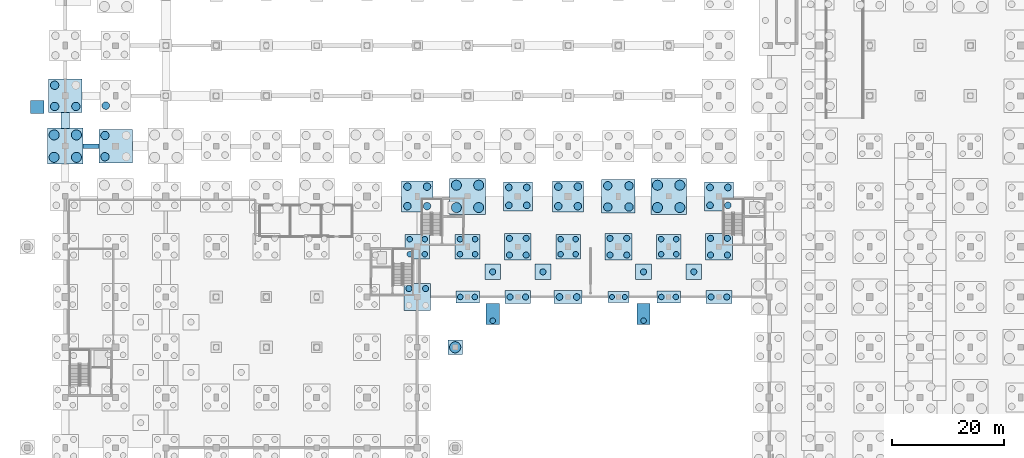
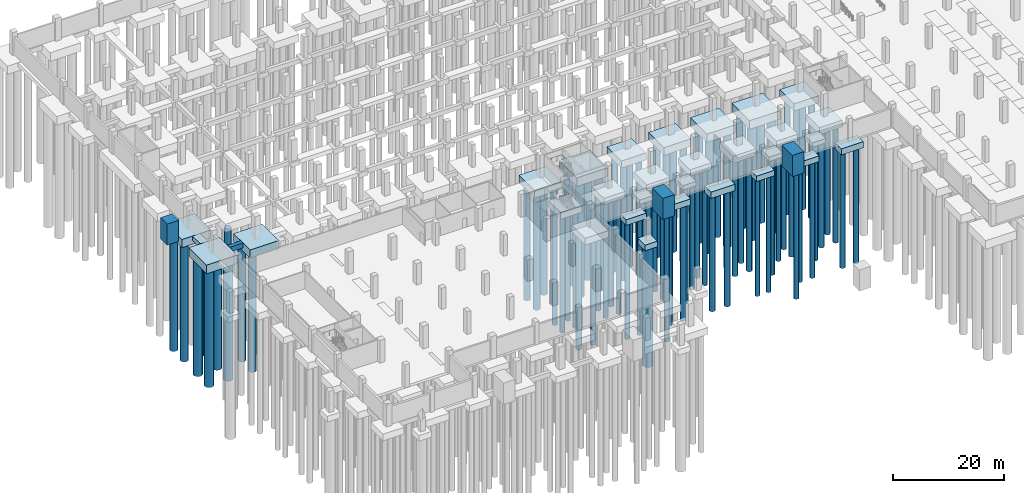
# One storey, part 3 of 37: 87 piles, 34 footings.
"""IFC4 building model written with IfcOpenShell, lengths in metres."""

from ifc_helpers import new_model, si_unit, direction, frame, origin, origin_2d, place, context, subcontext, project, spatial, rectangle, circle, extrude, material, material_profile, profile_set, type_object, element, save


model = new_model("IFC4")

# Units and contexts
model_context = context("Model", 3, precision=1e-05, world=origin(), true_north=direction((0.0, 1.0)))
body_context = subcontext(model_context, "Body", "Model", "MODEL_VIEW")
ifc_project = project(units=[si_unit("LENGTHUNIT", "METRE"), si_unit("AREAUNIT", "SQUARE_METRE"), si_unit("VOLUMEUNIT", "CUBIC_METRE"), si_unit("PLANEANGLEUNIT", "RADIAN"), si_unit("MASSUNIT", "GRAM", prefix="KILO")], contexts=[model_context])

# Site, building, storey
site_placement = place(None, origin())
site = spatial("IfcSite", under=ifc_project, at=site_placement, CompositionType="ELEMENT")
building_placement = place(site_placement, origin())
building = spatial("IfcBuilding", under=site, at=building_placement, Name="Barlavento Convention Centre", CompositionType="ELEMENT")
storey_placement = place(building_placement, frame((0.0, 0.0, -5.0)))
storey = spatial("IfcBuildingStorey", under=building, at=storey_placement, Name="B1", CompositionType="ELEMENT", Elevation=-5.0)

# Footings
ifc_material = material(Name="Concrete C40/50", Category="concrete")
footing_type_1 = type_object("IfcFootingType", Name="STR-FND-GB-800X1100", PredefinedType="FOOTING_BEAM", material=ifc_material)
footing_1_placement = place(storey_placement, frame((4.60009765625, 63.0, -1.10009765625), z_axis=(0.0, 0.0, 1.0), x_axis=(1.0, 0.0, 0.0)))
element("IfcFooting", 1, at=footing_1_placement, inside=storey, type_object=footing_type_1, Name="Ground tie footing GB03", PredefinedType="FOOTING_BEAM", context=body_context, shape_type="SweptSolid", body=[
    extrude(rectangle(XDim=2.81005859375, YDim=0.800048828125, at=origin_2d()), origin(), (0.0, 0.0, 1.0), 1.10009765625),
])
footing_type_2 = type_object("IfcFootingType", Name="STR-FND-PAD-2800", PredefinedType="PAD_FOOTING", material=ifc_material)
for number, where, z_axis, x_axis, name in (
    (2, (76.5, 40.5, -1.47021484375), (0.0, 0.0, 1.0), (1.0, 0.0, 0.0), "B1 heavy plant equipment pad footing FND-EQP-0311"),
    (3, (85.5, 40.5, -1.47021484375), (0.0, 0.0, 1.0), (1.0, 0.0, 0.0), "B1 heavy plant equipment pad footing FND-EQP-0312"),
    (4, (103.5, 40.5, -1.47021484375), (0.0, 0.0, 1.0), (1.0, 0.0, 0.0), "B1 heavy plant equipment pad footing FND-EQP-0313"),
    (5, (112.5, 40.5, -1.47021484375), (0.0, 0.0, 1.0), (1.0, 0.0, 0.0), "B1 heavy plant equipment pad footing FND-EQP-0314"),
):
    element("IfcFooting", number, at=place(storey_placement, frame(where, z_axis=z_axis, x_axis=x_axis)), inside=storey, type_object=footing_type_2, Name=name, PredefinedType="PAD_FOOTING", context=body_context, shape_type="SweptSolid", body=[
        extrude(rectangle(XDim=2.800048828125, YDim=2.800048828125, at=origin_2d()), origin(), (0.0, 0.0, 1.0), 0.949951171875),
    ])
footing_type_3 = type_object("IfcFootingType", Name="STR-FND-PAD-APR-2400", PredefinedType="PAD_FOOTING", material=ifc_material)
footing_2_placement = place(storey_placement, frame((-5.0, 70.0, 0.0), z_axis=(0.0, 0.0, 1.0), x_axis=(1.0, 0.0, 0.0)))
element("IfcFooting", 6, at=footing_2_placement, inside=storey, type_object=footing_type_3, Name="Perimeter plaza apron foundation pad FND-PAD-APR-04", PredefinedType="PAD_FOOTING", context=body_context, shape_type="SweptSolid", body=[
    extrude(rectangle(XDim=2.39990234375, YDim=2.39990234375, at=origin_2d()), origin(), (0.0, 0.0, 1.0), 4.639892578125),
])
footing_type_4 = type_object("IfcFootingType", Name="STR-FND-PC-2600", PredefinedType="PILE_CAP", material=ifc_material)
footing_3_placement = place(storey_placement, frame((69.800048828125, 27.0, -1.25), z_axis=(0.0, 0.0, 1.0), x_axis=(1.0, 0.0, 0.0)))
element("IfcFooting", 7, at=footing_3_placement, inside=storey, type_object=footing_type_4, Name="Canopy V-strut anchor pile cap FND-CAP-0320", PredefinedType="PILE_CAP", context=body_context, shape_type="SweptSolid", body=[
    extrude(rectangle(XDim=2.60009765625, YDim=2.60009765625, at=origin_2d()), origin(), (0.0, 0.0, 1.0), 1.25),
])
footing_type_5 = type_object("IfcFootingType", Name="STR-FND-PC2-3800X1900", PredefinedType="PILE_CAP", material=ifc_material)
footing_4_placement = place(storey_placement, frame((99.0, 36.0, -1.72021484375), z_axis=(0.0, 0.0, 1.0), x_axis=(1.0, 0.0, 0.0)))
element("IfcFooting", 8, at=footing_4_placement, inside=storey, type_object=footing_type_5, Name="Pile cap PC03 at 12-E", PredefinedType="PILE_CAP", context=body_context, shape_type="SweptSolid", body=[
    extrude(rectangle(XDim=3.800048828125, YDim=1.89990234375, at=origin_2d()), origin(), (0.0, 0.0, 1.0), 1.199951171875),
])
footing_type_6 = type_object("IfcFootingType", Name="STR-FND-PC2-4200X2100", PredefinedType="PILE_CAP", material=ifc_material)
for number, where, z_axis, x_axis, name in (
    (9, (72.0, 36.0, -1.77001953125), (0.0, 0.0, 1.0), (1.0, 0.0, 0.0), "Pile cap PC04 at 9-E"),
    (10, (108.0, 36.0, -1.77001953125), (0.0, 0.0, 1.0), (1.0, 0.0, 0.0), "Pile cap PC04 at 13-E"),
):
    element("IfcFooting", number, at=place(storey_placement, frame(where, z_axis=z_axis, x_axis=x_axis)), inside=storey, type_object=footing_type_6, Name=name, PredefinedType="PILE_CAP", context=body_context, shape_type="SweptSolid", body=[
        extrude(rectangle(XDim=4.199951171875, YDim=2.10009765625, at=origin_2d()), origin(), (0.0, 0.0, 1.0), 1.25),
    ])
footing_type_7 = type_object("IfcFootingType", Name="STR-FND-PC2-4600X2300", PredefinedType="PILE_CAP", material=ifc_material)
for number, where, z_axis, x_axis, name in (
    (11, (81.0, 36.0, -1.8701171875), (0.0, 0.0, 1.0), (1.0, 0.0, 0.0), "Pile cap PC05 at 10-E"),
    (12, (117.0, 36.0, -1.8701171875), (0.0, 0.0, 1.0), (1.0, 0.0, 0.0), "Pile cap PC05 at 14-E"),
):
    element("IfcFooting", number, at=place(storey_placement, frame(where, z_axis=z_axis, x_axis=x_axis)), inside=storey, type_object=footing_type_7, Name=name, PredefinedType="PILE_CAP", context=body_context, shape_type="SweptSolid", body=[
        extrude(rectangle(XDim=4.60009765625, YDim=2.300048828125, at=origin_2d()), origin(), (0.0, 0.0, 1.0), 1.35009765625),
    ])
footing_type_8 = type_object("IfcFootingType", Name="STR-FND-PC2-5000X2400", PredefinedType="PILE_CAP", material=ifc_material)
footing_5_placement = place(storey_placement, frame((90.0, 36.0, -1.919921875), z_axis=(0.0, 0.0, 1.0), x_axis=(1.0, 0.0, 0.0)))
element("IfcFooting", 13, at=footing_5_placement, inside=storey, type_object=footing_type_8, Name="Pile cap PC06 at 11-E", PredefinedType="PILE_CAP", context=body_context, shape_type="SweptSolid", body=[
    extrude(rectangle(XDim=5.0, YDim=2.39990234375, at=origin_2d()), origin(), (0.0, 0.0, 1.0), 1.39990234375),
])
footing_type_9 = type_object("IfcFootingType", Name="STR-FND-PC4-4400", PredefinedType="PILE_CAP", material=ifc_material)
for number, where, z_axis, x_axis, name in (
    (14, (63.0, 45.0, -1.97021484375), (0.0, 0.0, 1.0), (1.0, 0.0, 0.0), "Pile cap PC07 at 8-F"),
    (15, (72.0, 45.0, -1.97021484375), (0.0, 0.0, 1.0), (1.0, 0.0, 0.0), "Pile cap PC07 at 9-F"),
    (16, (90.0, 45.0, -1.97021484375), (0.0, 0.0, 1.0), (1.0, 0.0, 0.0), "Pile cap PC07 at 11-F"),
    (17, (108.0, 45.0, -1.97021484375), (0.0, 0.0, 1.0), (1.0, 0.0, 0.0), "Pile cap PC07 at 13-F"),
):
    element("IfcFooting", number, at=place(storey_placement, frame(where, z_axis=z_axis, x_axis=x_axis)), inside=storey, type_object=footing_type_9, Name=name, PredefinedType="PILE_CAP", context=body_context, shape_type="SweptSolid", body=[
        extrude(rectangle(XDim=4.39990234375, YDim=4.39990234375, at=origin_2d()), origin(), (0.0, 0.0, 1.0), 1.449951171875),
    ])
footing_type_10 = type_object("IfcFootingType", Name="STR-FND-PC4-4800", PredefinedType="PILE_CAP", material=ifc_material)
for number, where, z_axis, x_axis, name in (
    (18, (63.0, 36.0, -2.02001953125), (0.0, 0.0, 1.0), (1.0, 0.0, 0.0), "Pile cap PC08 at 8-E"),
    (19, (81.0, 45.0, -2.02001953125), (0.0, 0.0, 1.0), (1.0, 0.0, 0.0), "Pile cap PC08 at 10-F"),
    (20, (99.0, 45.0, -2.02001953125), (0.0, 0.0, 1.0), (1.0, 0.0, 0.0), "Pile cap PC08 at 12-F"),
    (21, (117.0, 45.0, -2.02001953125), (0.0, 0.0, 1.0), (1.0, 0.0, 0.0), "Pile cap PC08 at 14-F"),
):
    element("IfcFooting", number, at=place(storey_placement, frame(where, z_axis=z_axis, x_axis=x_axis)), inside=storey, type_object=footing_type_10, Name=name, PredefinedType="PILE_CAP", context=body_context, shape_type="SweptSolid", body=[
        extrude(rectangle(XDim=4.800048828125, YDim=4.800048828125, at=origin_2d()), origin(), (0.0, 0.0, 1.0), 1.5),
    ])
footing_type_11 = type_object("IfcFootingType", Name="STR-FND-PC4-5200", PredefinedType="PILE_CAP", material=ifc_material)
for number, where, z_axis, x_axis, name in (
    (22, (81.0, 54.0, -2.1201171875), (0.0, 0.0, 1.0), (1.0, 0.0, 0.0), "Pile cap PC09 at 10-G"),
    (23, (117.0, 54.0, -2.1201171875), (0.0, 0.0, 1.0), (1.0, 0.0, 0.0), "Pile cap PC09 at 14-G"),
):
    element("IfcFooting", number, at=place(storey_placement, frame(where, z_axis=z_axis, x_axis=x_axis)), inside=storey, type_object=footing_type_11, Name=name, PredefinedType="PILE_CAP", context=body_context, shape_type="SweptSolid", body=[
        extrude(rectangle(XDim=5.199951171875, YDim=5.199951171875, at=origin_2d()), origin(), (0.0, 0.0, 1.0), 1.60009765625),
    ])
footing_type_12 = type_object("IfcFootingType", Name="STR-FND-PC4-5600", PredefinedType="PILE_CAP", material=ifc_material)
for number, where, z_axis, x_axis, name in (
    (24, (63.0, 54.0, -2.22021484375), (0.0, 0.0, 1.0), (1.0, 0.0, 0.0), "Pile cap PC10 at 8-G"),
    (25, (90.0, 54.0, -2.22021484375), (0.0, 0.0, 1.0), (1.0, 0.0, 0.0), "Pile cap PC10 at 11-G"),
):
    element("IfcFooting", number, at=place(storey_placement, frame(where, z_axis=z_axis, x_axis=x_axis)), inside=storey, type_object=footing_type_12, Name=name, PredefinedType="PILE_CAP", context=body_context, shape_type="SweptSolid", body=[
        extrude(rectangle(XDim=5.60009765625, YDim=5.60009765625, at=origin_2d()), origin(), (0.0, 0.0, 1.0), 1.699951171875),
    ])
footing_type_13 = type_object("IfcFootingType", Name="STR-FND-PC4-6000", PredefinedType="PILE_CAP", material=ifc_material)
for number, where, z_axis, x_axis, name in (
    (26, (0.0, 72.0, -1.7998046875), (0.0, 0.0, 1.0), (1.0, 0.0, 0.0), "Pile cap PC11 at 1-J"),
    (27, (9.0, 63.0, -1.7998046875), (0.0, 0.0, 1.0), (1.0, 0.0, 0.0), "Pile cap PC11 at 2-H"),
    (28, (99.0, 54.0, -2.31982421875), (0.0, 0.0, 1.0), (1.0, 0.0, 0.0), "Pile cap PC11 at 12-G"),
):
    element("IfcFooting", number, at=place(storey_placement, frame(where, z_axis=z_axis, x_axis=x_axis)), inside=storey, type_object=footing_type_13, Name=name, PredefinedType="PILE_CAP", context=body_context, shape_type="SweptSolid", body=[
        extrude(rectangle(XDim=6.0, YDim=6.0, at=origin_2d()), origin(), (0.0, 0.0, 1.0), 1.800048828125),
    ])
footing_type_14 = type_object("IfcFootingType", Name="STR-FND-PC4-6400", PredefinedType="PILE_CAP", material=ifc_material)
for number, where, z_axis, x_axis, name in (
    (29, (0.0, 63.0, -1.89990234375), (0.0, 0.0, 1.0), (1.0, 0.0, 0.0), "Pile cap PC12 at 1-H"),
    (30, (72.0, 54.0, -2.419921875), (0.0, 0.0, 1.0), (1.0, 0.0, 0.0), "Pile cap PC12 at 9-G"),
    (31, (108.0, 54.0, -2.419921875), (0.0, 0.0, 1.0), (1.0, 0.0, 0.0), "Pile cap PC12 at 13-G"),
):
    element("IfcFooting", number, at=place(storey_placement, frame(where, z_axis=z_axis, x_axis=x_axis)), inside=storey, type_object=footing_type_14, Name=name, PredefinedType="PILE_CAP", context=body_context, shape_type="SweptSolid", body=[
        extrude(rectangle(XDim=6.39990234375, YDim=6.39990234375, at=origin_2d()), origin(), (0.0, 0.0, 1.0), 1.89990234375),
    ])
footing_type_15 = type_object("IfcFootingType", Name="STR-FND-RMP-PAD", PredefinedType="PAD_FOOTING", material=ifc_material)
for number, where, z_axis, x_axis, name in (
    (32, (76.5, 32.949951171875, 0.0), (0.0, 0.0, 1.0), (1.0, 0.0, 0.0), "Approach ramp foundation pad AR-01"),
    (33, (103.5, 32.949951171875, 0.0), (0.0, 0.0, 1.0), (1.0, 0.0, 0.0), "Approach ramp foundation pad AR-01"),
):
    element("IfcFooting", number, at=place(storey_placement, frame(where, z_axis=z_axis, x_axis=x_axis)), inside=storey, type_object=footing_type_15, Name=name, PredefinedType="PAD_FOOTING", context=body_context, shape_type="SweptSolid", body=[
        extrude(rectangle(XDim=2.39990234375, YDim=3.800048828125, at=origin_2d()), origin(), (0.0, 0.0, 1.0), 4.679931640625),
    ])
footing_type_16 = type_object("IfcFootingType", Name="STR-FND-SF-1600X900", PredefinedType="STRIP_FOOTING", material=ifc_material)
footing_6_placement = place(storey_placement, frame((0.0, 67.60009765625, -0.89990234375), z_axis=(0.0, 0.0, 1.0), x_axis=(1.0, 0.0, 0.0)))
element("IfcFooting", 34, at=footing_6_placement, inside=storey, type_object=footing_type_16, Name="Ground tie footing SF02", PredefinedType="STRIP_FOOTING", context=body_context, shape_type="SweptSolid", body=[
    extrude(rectangle(XDim=1.60009765625, YDim=2.81005859375, at=origin_2d()), origin(), (0.0, 0.0, 1.0), 0.89990234375),
])

# Piles
ifc_material_profile_1 = material_profile(ifc_material, circle(Radius=0.5, at=origin_2d()), Name="BORED PILE 1000")
ifc_profile_set_1 = profile_set([ifc_material_profile_1], Name="Concrete C40/50")
pile_type_1 = type_object("IfcPileType", Name="STR-PIL-B1000", PredefinedType="BORED", material=ifc_profile_set_1)
for number, where, z_axis, x_axis, name in (
    (35, (61.64990234375, 43.64990234375, -1.8701171875), (0.0, 0.0, -1.0), (1.0, 0.0, 0.0), "Bored pile P10 under FND-CAP-0109"),
    (36, (64.35009765625, 43.64990234375, -1.8701171875), (0.0, 0.0, -1.0), (1.0, 0.0, 0.0), "Bored pile P10 under FND-CAP-0109"),
    (37, (61.64990234375, 46.35009765625, -1.8701171875), (0.0, 0.0, -1.0), (1.0, 0.0, 0.0), "Bored pile P10 under FND-CAP-0109"),
    (38, (64.35009765625, 46.35009765625, -1.8701171875), (0.0, 0.0, -1.0), (1.0, 0.0, 0.0), "Bored pile P10 under FND-CAP-0109"),
):
    element("IfcPile", number, at=place(storey_placement, frame(where, z_axis=z_axis, x_axis=x_axis)), inside=storey, type_object=pile_type_1, Name=name, PredefinedType="BORED", context=body_context, shape_type="SweptSolid", body=[
        extrude(circle(Radius=0.5, at=origin_2d()), origin(), (0.0, 0.0, 1.0), 25.6298828125),
    ])
for number, where, z_axis, x_axis, name in (
    (39, (70.699951171875, 36.0, -1.669921875), (0.0, 0.0, -1.0), (1.0, 0.0, 0.0), "Bored pile P10 under FND-CAP-0118"),
    (40, (73.300048828125, 36.0, -1.669921875), (0.0, 0.0, -1.0), (1.0, 0.0, 0.0), "Bored pile P10 under FND-CAP-0118"),
):
    element("IfcPile", number, at=place(storey_placement, frame(where, z_axis=z_axis, x_axis=x_axis)), inside=storey, type_object=pile_type_1, Name=name, PredefinedType="BORED", context=body_context, shape_type="SweptSolid", body=[
        extrude(circle(Radius=0.5, at=origin_2d()), origin(), (0.0, 0.0, 1.0), 25.830078125),
    ])
for number, where, z_axis, x_axis, name in (
    (41, (70.64990234375, 43.64990234375, -1.8701171875), (0.0, 0.0, -1.0), (1.0, 0.0, 0.0), "Bored pile P10 under FND-CAP-0119"),
    (42, (73.35009765625, 43.64990234375, -1.8701171875), (0.0, 0.0, -1.0), (1.0, 0.0, 0.0), "Bored pile P10 under FND-CAP-0119"),
    (43, (70.64990234375, 46.35009765625, -1.8701171875), (0.0, 0.0, -1.0), (1.0, 0.0, 0.0), "Bored pile P10 under FND-CAP-0119"),
    (44, (73.35009765625, 46.35009765625, -1.8701171875), (0.0, 0.0, -1.0), (1.0, 0.0, 0.0), "Bored pile P10 under FND-CAP-0119"),
    (45, (88.64990234375, 43.64990234375, -1.8701171875), (0.0, 0.0, -1.0), (1.0, 0.0, 0.0), "Bored pile P10 under FND-CAP-0141"),
    (46, (91.35009765625, 43.64990234375, -1.8701171875), (0.0, 0.0, -1.0), (1.0, 0.0, 0.0), "Bored pile P10 under FND-CAP-0141"),
    (47, (88.64990234375, 46.35009765625, -1.8701171875), (0.0, 0.0, -1.0), (1.0, 0.0, 0.0), "Bored pile P10 under FND-CAP-0141"),
    (48, (91.35009765625, 46.35009765625, -1.8701171875), (0.0, 0.0, -1.0), (1.0, 0.0, 0.0), "Bored pile P10 under FND-CAP-0141"),
):
    element("IfcPile", number, at=place(storey_placement, frame(where, z_axis=z_axis, x_axis=x_axis)), inside=storey, type_object=pile_type_1, Name=name, PredefinedType="BORED", context=body_context, shape_type="SweptSolid", body=[
        extrude(circle(Radius=0.5, at=origin_2d()), origin(), (0.0, 0.0, 1.0), 25.6298828125),
    ])
for number, where, z_axis, x_axis, name in (
    (49, (106.699951171875, 36.0, -1.669921875), (0.0, 0.0, -1.0), (1.0, 0.0, 0.0), "Bored pile P10 under FND-CAP-0162"),
    (50, (109.300048828125, 36.0, -1.669921875), (0.0, 0.0, -1.0), (1.0, 0.0, 0.0), "Bored pile P10 under FND-CAP-0162"),
):
    element("IfcPile", number, at=place(storey_placement, frame(where, z_axis=z_axis, x_axis=x_axis)), inside=storey, type_object=pile_type_1, Name=name, PredefinedType="BORED", context=body_context, shape_type="SweptSolid", body=[
        extrude(circle(Radius=0.5, at=origin_2d()), origin(), (0.0, 0.0, 1.0), 25.830078125),
    ])
for number, where, z_axis, x_axis, name in (
    (51, (106.64990234375, 43.64990234375, -1.8701171875), (0.0, 0.0, -1.0), (1.0, 0.0, 0.0), "Bored pile P10 under FND-CAP-0163"),
    (52, (109.35009765625, 43.64990234375, -1.8701171875), (0.0, 0.0, -1.0), (1.0, 0.0, 0.0), "Bored pile P10 under FND-CAP-0163"),
    (53, (106.64990234375, 46.35009765625, -1.8701171875), (0.0, 0.0, -1.0), (1.0, 0.0, 0.0), "Bored pile P10 under FND-CAP-0163"),
    (54, (109.35009765625, 46.35009765625, -1.8701171875), (0.0, 0.0, -1.0), (1.0, 0.0, 0.0), "Bored pile P10 under FND-CAP-0163"),
):
    element("IfcPile", number, at=place(storey_placement, frame(where, z_axis=z_axis, x_axis=x_axis)), inside=storey, type_object=pile_type_1, Name=name, PredefinedType="BORED", context=body_context, shape_type="SweptSolid", body=[
        extrude(circle(Radius=0.5, at=origin_2d()), origin(), (0.0, 0.0, 1.0), 25.6298828125),
    ])
for number, where, z_axis, x_axis, name in (
    (55, (76.5, 31.75, 0.10009765625), (0.0, 0.0, -1.0), (1.0, 0.0, 0.0), "Approach ramp foundation pile AR-01"),
    (56, (103.5, 31.75, 0.10009765625), (0.0, 0.0, -1.0), (1.0, 0.0, 0.0), "Approach ramp foundation pile AR-01"),
):
    element("IfcPile", number, at=place(storey_placement, frame(where, z_axis=z_axis, x_axis=x_axis)), inside=storey, type_object=pile_type_1, Name=name, PredefinedType="BORED", context=body_context, shape_type="SweptSolid", body=[
        extrude(circle(Radius=0.5, at=origin_2d()), origin(), (0.0, 0.0, 1.0), 27.60009765625),
    ])
ifc_material_profile_2 = material_profile(ifc_material, circle(Radius=0.550048828125, at=origin_2d()), Name="BORED PILE 1100")
ifc_profile_set_2 = profile_set([ifc_material_profile_2], Name="Concrete C40/50")
pile_type_2 = type_object("IfcPileType", Name="STR-PIL-B1100", PredefinedType="BORED", material=ifc_profile_set_2)
for number, where, z_axis, x_axis, name in (
    (57, (61.5, 37.5, -1.919921875), (0.0, 0.0, -1.0), (1.0, 0.0, 0.0), "Bored pile P11 under FND-CAP-0108"),
    (58, (64.5, 37.5, -1.919921875), (0.0, 0.0, -1.0), (1.0, 0.0, 0.0), "Bored pile P11 under FND-CAP-0108"),
):
    element("IfcPile", number, at=place(storey_placement, frame(where, z_axis=z_axis, x_axis=x_axis)), inside=storey, type_object=pile_type_2, Name=name, PredefinedType="BORED", context=body_context, shape_type="SweptSolid", body=[
        extrude(circle(Radius=0.550048828125, at=origin_2d()), origin(), (0.0, 0.0, 1.0), 25.580078125),
    ])
for number, where, z_axis, x_axis, name in (
    (59, (79.60009765625, 36.0, -1.77001953125), (0.0, 0.0, -1.0), (1.0, 0.0, 0.0), "Bored pile P11 under FND-CAP-0129"),
    (60, (82.39990234375, 36.0, -1.77001953125), (0.0, 0.0, -1.0), (1.0, 0.0, 0.0), "Bored pile P11 under FND-CAP-0129"),
):
    element("IfcPile", number, at=place(storey_placement, frame(where, z_axis=z_axis, x_axis=x_axis)), inside=storey, type_object=pile_type_2, Name=name, PredefinedType="BORED", context=body_context, shape_type="SweptSolid", body=[
        extrude(circle(Radius=0.550048828125, at=origin_2d()), origin(), (0.0, 0.0, 1.0), 25.72998046875),
    ])
for number, where, z_axis, x_axis, name in (
    (61, (79.5, 43.5, -1.919921875), (0.0, 0.0, -1.0), (1.0, 0.0, 0.0), "Bored pile P11 under FND-CAP-0130"),
    (62, (82.5, 43.5, -1.919921875), (0.0, 0.0, -1.0), (1.0, 0.0, 0.0), "Bored pile P11 under FND-CAP-0130"),
    (63, (79.5, 46.5, -1.919921875), (0.0, 0.0, -1.0), (1.0, 0.0, 0.0), "Bored pile P11 under FND-CAP-0130"),
    (64, (82.5, 46.5, -1.919921875), (0.0, 0.0, -1.0), (1.0, 0.0, 0.0), "Bored pile P11 under FND-CAP-0130"),
    (65, (97.5, 43.5, -1.919921875), (0.0, 0.0, -1.0), (1.0, 0.0, 0.0), "Bored pile P11 under FND-CAP-0152"),
    (66, (100.5, 43.5, -1.919921875), (0.0, 0.0, -1.0), (1.0, 0.0, 0.0), "Bored pile P11 under FND-CAP-0152"),
    (67, (97.5, 46.5, -1.919921875), (0.0, 0.0, -1.0), (1.0, 0.0, 0.0), "Bored pile P11 under FND-CAP-0152"),
    (68, (100.5, 46.5, -1.919921875), (0.0, 0.0, -1.0), (1.0, 0.0, 0.0), "Bored pile P11 under FND-CAP-0152"),
):
    element("IfcPile", number, at=place(storey_placement, frame(where, z_axis=z_axis, x_axis=x_axis)), inside=storey, type_object=pile_type_2, Name=name, PredefinedType="BORED", context=body_context, shape_type="SweptSolid", body=[
        extrude(circle(Radius=0.550048828125, at=origin_2d()), origin(), (0.0, 0.0, 1.0), 25.580078125),
    ])
for number, where, z_axis, x_axis, name in (
    (69, (115.60009765625, 36.0, -1.77001953125), (0.0, 0.0, -1.0), (1.0, 0.0, 0.0), "Bored pile P11 under FND-CAP-0173"),
    (70, (118.39990234375, 36.0, -1.77001953125), (0.0, 0.0, -1.0), (1.0, 0.0, 0.0), "Bored pile P11 under FND-CAP-0173"),
):
    element("IfcPile", number, at=place(storey_placement, frame(where, z_axis=z_axis, x_axis=x_axis)), inside=storey, type_object=pile_type_2, Name=name, PredefinedType="BORED", context=body_context, shape_type="SweptSolid", body=[
        extrude(circle(Radius=0.550048828125, at=origin_2d()), origin(), (0.0, 0.0, 1.0), 25.72998046875),
    ])
for number, where, z_axis, x_axis, name in (
    (71, (115.5, 43.5, -1.919921875), (0.0, 0.0, -1.0), (1.0, 0.0, 0.0), "Bored pile P11 under FND-CAP-0174"),
    (72, (118.5, 43.5, -1.919921875), (0.0, 0.0, -1.0), (1.0, 0.0, 0.0), "Bored pile P11 under FND-CAP-0174"),
    (73, (115.5, 46.5, -1.919921875), (0.0, 0.0, -1.0), (1.0, 0.0, 0.0), "Bored pile P11 under FND-CAP-0174"),
    (74, (118.5, 46.5, -1.919921875), (0.0, 0.0, -1.0), (1.0, 0.0, 0.0), "Bored pile P11 under FND-CAP-0174"),
):
    element("IfcPile", number, at=place(storey_placement, frame(where, z_axis=z_axis, x_axis=x_axis)), inside=storey, type_object=pile_type_2, Name=name, PredefinedType="BORED", context=body_context, shape_type="SweptSolid", body=[
        extrude(circle(Radius=0.550048828125, at=origin_2d()), origin(), (0.0, 0.0, 1.0), 25.580078125),
    ])
for number, where, z_axis, x_axis, name in (
    (75, (76.5, 40.5, -1.3701171875), (0.0, 0.0, -1.0), (1.0, 0.0, 0.0), "Equipment pad bored pile PIL-P11-76500-40500"),
    (76, (85.5, 40.5, -1.3701171875), (0.0, 0.0, -1.0), (1.0, 0.0, 0.0), "Equipment pad bored pile PIL-P11-85500-40500"),
    (77, (103.5, 40.5, -1.3701171875), (0.0, 0.0, -1.0), (1.0, 0.0, 0.0), "Equipment pad bored pile PIL-P11-103500-40500"),
    (78, (112.5, 40.5, -1.3701171875), (0.0, 0.0, -1.0), (1.0, 0.0, 0.0), "Equipment pad bored pile PIL-P11-112500-40500"),
):
    element("IfcPile", number, at=place(storey_placement, frame(where, z_axis=z_axis, x_axis=x_axis)), inside=storey, type_object=pile_type_2, Name=name, PredefinedType="BORED", context=body_context, shape_type="SweptSolid", body=[
        extrude(circle(Radius=0.550048828125, at=origin_2d()), origin(), (0.0, 0.0, 1.0), 26.1298828125),
    ])
ifc_material_profile_3 = material_profile(ifc_material, circle(Radius=0.60009765625, at=origin_2d()), Name="BORED PILE 1200")
ifc_profile_set_3 = profile_set([ifc_material_profile_3], Name="Concrete C40/50")
pile_type_3 = type_object("IfcPileType", Name="STR-PIL-B1200", PredefinedType="BORED", material=ifc_profile_set_3)
for number, where, z_axis, x_axis, name in (
    (79, (79.39990234375, 52.39990234375, -2.02001953125), (0.0, 0.0, -1.0), (1.0, 0.0, 0.0), "Bored pile P12 under FND-CAP-0131"),
    (80, (82.60009765625, 52.39990234375, -2.02001953125), (0.0, 0.0, -1.0), (1.0, 0.0, 0.0), "Bored pile P12 under FND-CAP-0131"),
    (81, (79.39990234375, 55.60009765625, -2.02001953125), (0.0, 0.0, -1.0), (1.0, 0.0, 0.0), "Bored pile P12 under FND-CAP-0131"),
    (82, (82.60009765625, 55.60009765625, -2.02001953125), (0.0, 0.0, -1.0), (1.0, 0.0, 0.0), "Bored pile P12 under FND-CAP-0131"),
):
    element("IfcPile", number, at=place(storey_placement, frame(where, z_axis=z_axis, x_axis=x_axis)), inside=storey, type_object=pile_type_3, Name=name, PredefinedType="BORED", context=body_context, shape_type="SweptSolid", body=[
        extrude(circle(Radius=0.60009765625, at=origin_2d()), origin(), (0.0, 0.0, 1.0), 25.47998046875),
    ])
for number, where, z_axis, x_axis, name in (
    (83, (88.449951171875, 36.0, -1.820068359375), (0.0, 0.0, -1.0), (1.0, 0.0, 0.0), "Bored pile P12 under FND-CAP-0140"),
    (84, (91.550048828125, 36.0, -1.820068359375), (0.0, 0.0, -1.0), (1.0, 0.0, 0.0), "Bored pile P12 under FND-CAP-0140"),
):
    element("IfcPile", number, at=place(storey_placement, frame(where, z_axis=z_axis, x_axis=x_axis)), inside=storey, type_object=pile_type_3, Name=name, PredefinedType="BORED", context=body_context, shape_type="SweptSolid", body=[
        extrude(circle(Radius=0.60009765625, at=origin_2d()), origin(), (0.0, 0.0, 1.0), 25.679931640625),
    ])
for number, where, z_axis, x_axis, name in (
    (85, (115.39990234375, 52.39990234375, -2.02001953125), (0.0, 0.0, -1.0), (1.0, 0.0, 0.0), "Bored pile P12 under FND-CAP-0175"),
    (86, (118.60009765625, 52.39990234375, -2.02001953125), (0.0, 0.0, -1.0), (1.0, 0.0, 0.0), "Bored pile P12 under FND-CAP-0175"),
    (87, (115.39990234375, 55.60009765625, -2.02001953125), (0.0, 0.0, -1.0), (1.0, 0.0, 0.0), "Bored pile P12 under FND-CAP-0175"),
    (88, (118.60009765625, 55.60009765625, -2.02001953125), (0.0, 0.0, -1.0), (1.0, 0.0, 0.0), "Bored pile P12 under FND-CAP-0175"),
):
    element("IfcPile", number, at=place(storey_placement, frame(where, z_axis=z_axis, x_axis=x_axis)), inside=storey, type_object=pile_type_3, Name=name, PredefinedType="BORED", context=body_context, shape_type="SweptSolid", body=[
        extrude(circle(Radius=0.60009765625, at=origin_2d()), origin(), (0.0, 0.0, 1.0), 25.47998046875),
    ])
ifc_material_profile_4 = material_profile(ifc_material, circle(Radius=0.675048828125, at=origin_2d()), Name="BORED PILE 1350")
ifc_profile_set_4 = profile_set([ifc_material_profile_4], Name="Concrete C40/50")
pile_type_4 = type_object("IfcPileType", Name="STR-PIL-B1350", PredefinedType="BORED", material=ifc_profile_set_4)
pile_1_placement = place(storey_placement, frame((7.25, 70.25, -1.60009765625), z_axis=(0.0, 0.0, -1.0), x_axis=(1.0, 0.0, 0.0)))
element("IfcPile", 89, at=pile_1_placement, inside=storey, type_object=pile_type_4, Name="Bored pile P13 under FND-CAP-0022", PredefinedType="BORED", context=body_context, shape_type="SweptSolid", body=[
    extrude(circle(Radius=0.675048828125, at=origin_2d()), origin(), (0.0, 0.0, 1.0), 25.89990234375),
])
for number, where, z_axis, x_axis, name in (
    (90, (61.25, 52.25, -2.1201171875), (0.0, 0.0, -1.0), (1.0, 0.0, 0.0), "Bored pile P13 under FND-CAP-0110"),
    (91, (64.75, 52.25, -2.1201171875), (0.0, 0.0, -1.0), (1.0, 0.0, 0.0), "Bored pile P13 under FND-CAP-0110"),
    (92, (61.25, 55.75, -2.1201171875), (0.0, 0.0, -1.0), (1.0, 0.0, 0.0), "Bored pile P13 under FND-CAP-0110"),
    (93, (64.75, 55.75, -2.1201171875), (0.0, 0.0, -1.0), (1.0, 0.0, 0.0), "Bored pile P13 under FND-CAP-0110"),
    (94, (88.25, 52.25, -2.1201171875), (0.0, 0.0, -1.0), (1.0, 0.0, 0.0), "Bored pile P13 under FND-CAP-0142"),
    (95, (91.75, 52.25, -2.1201171875), (0.0, 0.0, -1.0), (1.0, 0.0, 0.0), "Bored pile P13 under FND-CAP-0142"),
    (96, (88.25, 55.75, -2.1201171875), (0.0, 0.0, -1.0), (1.0, 0.0, 0.0), "Bored pile P13 under FND-CAP-0142"),
    (97, (91.75, 55.75, -2.1201171875), (0.0, 0.0, -1.0), (1.0, 0.0, 0.0), "Bored pile P13 under FND-CAP-0142"),
):
    element("IfcPile", number, at=place(storey_placement, frame(where, z_axis=z_axis, x_axis=x_axis)), inside=storey, type_object=pile_type_4, Name=name, PredefinedType="BORED", context=body_context, shape_type="SweptSolid", body=[
        extrude(circle(Radius=0.675048828125, at=origin_2d()), origin(), (0.0, 0.0, 1.0), 25.3798828125),
    ])
ifc_material_profile_5 = material_profile(ifc_material, circle(Radius=0.75, at=origin_2d()), Name="BORED PILE 1500")
ifc_profile_set_5 = profile_set([ifc_material_profile_5], Name="Concrete C40/50")
pile_type_5 = type_object("IfcPileType", Name="STR-PIL-B1500", PredefinedType="BORED", material=ifc_profile_set_5)
for number, where, z_axis, x_axis, name in (
    (98, (-1.89990234375, 70.10009765625, -1.699951171875), (0.0, 0.0, -1.0), (1.0, 0.0, 0.0), "Bored pile P15 under FND-CAP-0009"),
    (99, (1.89990234375, 70.10009765625, -1.699951171875), (0.0, 0.0, -1.0), (1.0, 0.0, 0.0), "Bored pile P15 under FND-CAP-0009"),
    (100, (-1.89990234375, 73.89990234375, -1.699951171875), (0.0, 0.0, -1.0), (1.0, 0.0, 0.0), "Bored pile P15 under FND-CAP-0009"),
    (101, (7.10009765625, 61.10009765625, -1.699951171875), (0.0, 0.0, -1.0), (1.0, 0.0, 0.0), "Bored pile P15 under FND-CAP-0021"),
    (102, (7.10009765625, 64.89990234375, -1.699951171875), (0.0, 0.0, -1.0), (1.0, 0.0, 0.0), "Bored pile P15 under FND-CAP-0021"),
):
    element("IfcPile", number, at=place(storey_placement, frame(where, z_axis=z_axis, x_axis=x_axis)), inside=storey, type_object=pile_type_5, Name=name, PredefinedType="BORED", context=body_context, shape_type="SweptSolid", body=[
        extrude(circle(Radius=0.75, at=origin_2d()), origin(), (0.0, 0.0, 1.0), 25.800048828125),
    ])
for number, where, z_axis, x_axis, name in (
    (103, (97.10009765625, 52.10009765625, -2.219970703125), (0.0, 0.0, -1.0), (1.0, 0.0, 0.0), "Bored pile P15 under FND-CAP-0153"),
    (104, (100.89990234375, 52.10009765625, -2.219970703125), (0.0, 0.0, -1.0), (1.0, 0.0, 0.0), "Bored pile P15 under FND-CAP-0153"),
    (105, (97.10009765625, 55.89990234375, -2.219970703125), (0.0, 0.0, -1.0), (1.0, 0.0, 0.0), "Bored pile P15 under FND-CAP-0153"),
    (106, (100.89990234375, 55.89990234375, -2.219970703125), (0.0, 0.0, -1.0), (1.0, 0.0, 0.0), "Bored pile P15 under FND-CAP-0153"),
):
    element("IfcPile", number, at=place(storey_placement, frame(where, z_axis=z_axis, x_axis=x_axis)), inside=storey, type_object=pile_type_5, Name=name, PredefinedType="BORED", context=body_context, shape_type="SweptSolid", body=[
        extrude(circle(Radius=0.75, at=origin_2d()), origin(), (0.0, 0.0, 1.0), 25.280029296875),
    ])
ifc_material_profile_6 = material_profile(ifc_material, circle(Radius=0.89990234375, at=origin_2d()), Name="BORED PILE 1800")
ifc_profile_set_6 = profile_set([ifc_material_profile_6], Name="Concrete C40/50")
pile_type_6 = type_object("IfcPileType", Name="STR-PIL-B1800", PredefinedType="BORED", material=ifc_profile_set_6)
for number, where, z_axis, x_axis, name in (
    (107, (-2.0, 61.0, -1.800048828125), (0.0, 0.0, -1.0), (1.0, 0.0, 0.0), "Bored pile P18 under FND-CAP-0008"),
    (108, (2.0, 61.0, -1.800048828125), (0.0, 0.0, -1.0), (1.0, 0.0, 0.0), "Bored pile P18 under FND-CAP-0008"),
    (109, (-2.0, 65.0, -1.800048828125), (0.0, 0.0, -1.0), (1.0, 0.0, 0.0), "Bored pile P18 under FND-CAP-0008"),
    (110, (2.0, 65.0, -1.800048828125), (0.0, 0.0, -1.0), (1.0, 0.0, 0.0), "Bored pile P18 under FND-CAP-0008"),
):
    element("IfcPile", number, at=place(storey_placement, frame(where, z_axis=z_axis, x_axis=x_axis)), inside=storey, type_object=pile_type_6, Name=name, PredefinedType="BORED", context=body_context, shape_type="SweptSolid", body=[
        extrude(circle(Radius=0.89990234375, at=origin_2d()), origin(), (0.0, 0.0, 1.0), 25.699951171875),
    ])
for number, where, z_axis, x_axis, name in (
    (111, (70.0, 52.0, -2.320068359375), (0.0, 0.0, -1.0), (1.0, 0.0, 0.0), "Bored pile P18 under FND-CAP-0120"),
    (112, (74.0, 52.0, -2.320068359375), (0.0, 0.0, -1.0), (1.0, 0.0, 0.0), "Bored pile P18 under FND-CAP-0120"),
    (113, (70.0, 56.0, -2.320068359375), (0.0, 0.0, -1.0), (1.0, 0.0, 0.0), "Bored pile P18 under FND-CAP-0120"),
    (114, (74.0, 56.0, -2.320068359375), (0.0, 0.0, -1.0), (1.0, 0.0, 0.0), "Bored pile P18 under FND-CAP-0120"),
    (115, (106.0, 52.0, -2.320068359375), (0.0, 0.0, -1.0), (1.0, 0.0, 0.0), "Bored pile P18 under FND-CAP-0164"),
    (116, (110.0, 52.0, -2.320068359375), (0.0, 0.0, -1.0), (1.0, 0.0, 0.0), "Bored pile P18 under FND-CAP-0164"),
    (117, (106.0, 56.0, -2.320068359375), (0.0, 0.0, -1.0), (1.0, 0.0, 0.0), "Bored pile P18 under FND-CAP-0164"),
    (118, (110.0, 56.0, -2.320068359375), (0.0, 0.0, -1.0), (1.0, 0.0, 0.0), "Bored pile P18 under FND-CAP-0164"),
):
    element("IfcPile", number, at=place(storey_placement, frame(where, z_axis=z_axis, x_axis=x_axis)), inside=storey, type_object=pile_type_6, Name=name, PredefinedType="BORED", context=body_context, shape_type="SweptSolid", body=[
        extrude(circle(Radius=0.89990234375, at=origin_2d()), origin(), (0.0, 0.0, 1.0), 25.179931640625),
    ])
ifc_material_profile_7 = material_profile(ifc_material, circle(Radius=1.0, at=origin_2d()), Name="BORED PILE 2000")
ifc_profile_set_7 = profile_set([ifc_material_profile_7], Name="Concrete C40/50")
pile_type_7 = type_object("IfcPileType", Name="STR-PIL-B2000", PredefinedType="BORED", material=ifc_profile_set_7)
pile_2_placement = place(storey_placement, frame((69.800048828125, 27.0, -1.14990234375), z_axis=(0.0, 0.0, -1.0), x_axis=(1.0, 0.0, 0.0)))
element("IfcPile", 119, at=pile_2_placement, inside=storey, type_object=pile_type_7, Name="Canopy uplift bored pile PIL-P20-69800-27000", PredefinedType="BORED", context=body_context, shape_type="SweptSolid", body=[
    extrude(circle(Radius=1.0, at=origin_2d()), origin(), (0.0, 0.0, 1.0), 26.35009765625),
])
ifc_material_profile_8 = material_profile(ifc_material, circle(Radius=0.449951171875, at=origin_2d()), Name="BORED PILE 900")
ifc_profile_set_8 = profile_set([ifc_material_profile_8], Name="Concrete C40/50")
pile_type_8 = type_object("IfcPileType", Name="STR-PIL-B900", PredefinedType="BORED", material=ifc_profile_set_8)
for number, where, z_axis, x_axis, name in (
    (120, (97.85009765625, 36.0, -1.6201171875), (0.0, 0.0, -1.0), (1.0, 0.0, 0.0), "Bored pile P09 under FND-CAP-0151"),
    (121, (100.14990234375, 36.0, -1.6201171875), (0.0, 0.0, -1.0), (1.0, 0.0, 0.0), "Bored pile P09 under FND-CAP-0151"),
):
    element("IfcPile", number, at=place(storey_placement, frame(where, z_axis=z_axis, x_axis=x_axis)), inside=storey, type_object=pile_type_8, Name=name, PredefinedType="BORED", context=body_context, shape_type="SweptSolid", body=[
        extrude(circle(Radius=0.449951171875, at=origin_2d()), origin(), (0.0, 0.0, 1.0), 25.8798828125),
    ])

save(model, "model.ifc")
